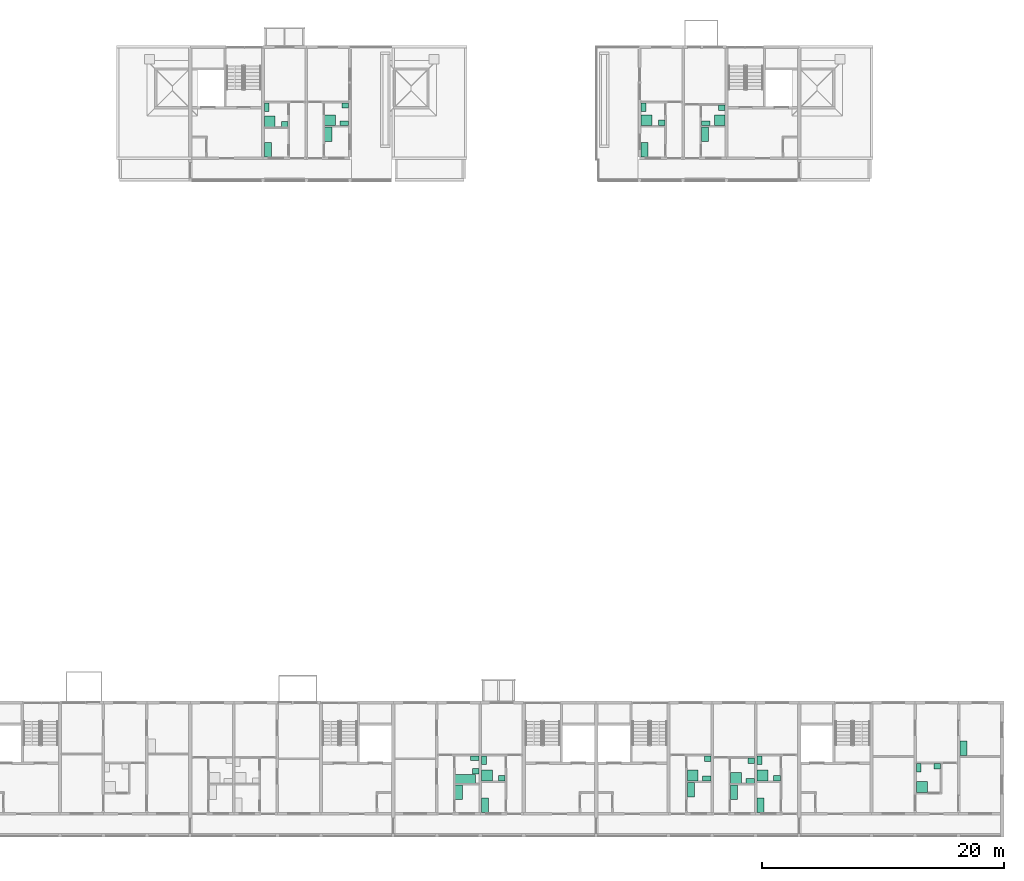
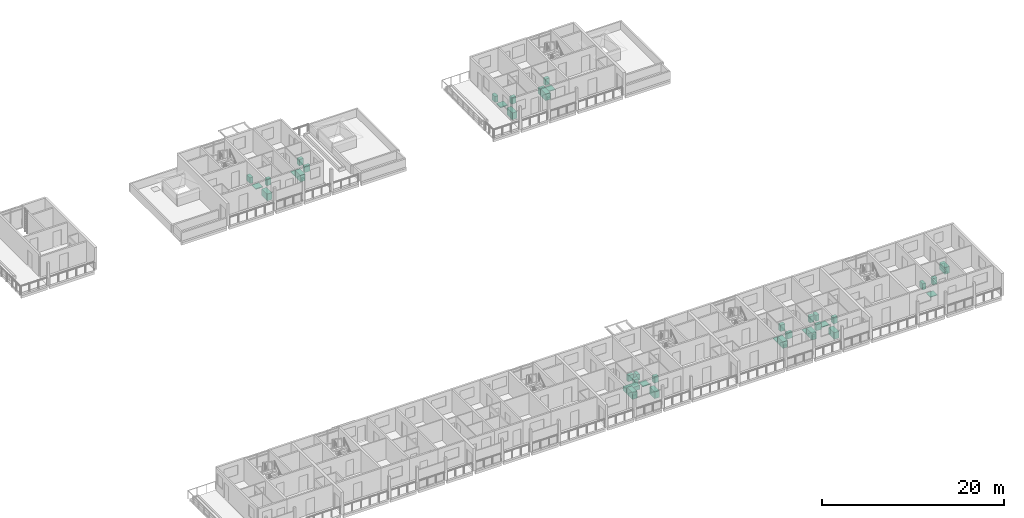
# One storey, part 78 of 78: 40 sanitary terminals.
"""IFC4 building model written with IfcOpenShell, lengths in metres."""

from ifc_helpers import new_model, si_unit, direction, frame, origin, origin_2d, place, context, subcontext, project, spatial, rectangle, extrude, element, save


model = new_model("IFC4")

# Units and contexts
model_context = context("Model", 3, precision=1e-05, world=origin(), true_north=direction((0.0, 1.0)))
body_context = subcontext(model_context, "Body", "Model", "MODEL_VIEW")
ifc_project = project(units=[si_unit("LENGTHUNIT", "METRE"), si_unit("AREAUNIT", "SQUARE_METRE"), si_unit("VOLUMEUNIT", "CUBIC_METRE"), si_unit("PLANEANGLEUNIT", "RADIAN"), si_unit("MASSUNIT", "GRAM", prefix="KILO")], contexts=[model_context])

# Site, building, storey
site_placement = place(None, origin())
site = spatial("IfcSite", under=ifc_project, at=site_placement, CompositionType="ELEMENT")
building_placement = place(site_placement, origin())
building = spatial("IfcBuilding", under=site, at=building_placement, Name="Ridgestep Commons", CompositionType="ELEMENT")
storey_placement = place(building_placement, frame((0.0, 0.0, 30.0)))
storey = spatial("IfcBuildingStorey", under=building, at=storey_placement, Name="L10", CompositionType="ELEMENT", Elevation=30.0)

# Sanitary terminals
sanitary_terminal_1_placement = place(storey_placement, frame((191.9599609375, 71.06005859375, 0.0), z_axis=(0.0, 0.0, 1.0), x_axis=(1.0, 0.0, 0.0)))
element("IfcSanitaryTerminal", 1, at=sanitary_terminal_1_placement, inside=storey, Name="Shower tray C3-10a", PredefinedType="SHOWER", context=body_context, shape_type="SweptSolid", body=[
    extrude(rectangle(XDim=0.89990234375, YDim=0.89990234375, at=origin_2d()), origin(), (0.0, 0.0, 1.0), 0.10009765625),
])
sanitary_terminal_2_placement = place(storey_placement, frame((193.14990234375, 70.81005859375, 0.0), z_axis=(0.0, 0.0, 1.0), x_axis=(1.0, 0.0, 0.0)))
element("IfcSanitaryTerminal", 2, at=sanitary_terminal_2_placement, inside=storey, Name="WC C3-10a", PredefinedType="TOILETPAN", context=body_context, shape_type="SweptSolid", body=[
    extrude(rectangle(XDim=0.699951171875, YDim=0.39990234375, at=origin_2d()), origin(), (0.0, 0.0, 1.0), 0.800048828125),
])
sanitary_terminal_3_placement = place(storey_placement, frame((193.22509765625, 72.27490234375, 0.0), z_axis=(0.0, 0.0, 1.0), x_axis=(1.0, 0.0, 0.0)))
element("IfcSanitaryTerminal", 3, at=sanitary_terminal_3_placement, inside=storey, Name="Basin C3-10a", PredefinedType="WASHHANDBASIN", context=body_context, shape_type="SweptSolid", body=[
    extrude(rectangle(XDim=0.550048828125, YDim=0.449951171875, at=origin_2d()), origin(), (0.0, 0.0, 1.0), 0.85009765625),
])
sanitary_terminal_4_placement = place(storey_placement, frame((191.81005859375, 69.89990234375, 0.0), z_axis=(0.0, 0.0, 1.0), x_axis=(1.0, 0.0, 0.0)))
element("IfcSanitaryTerminal", 4, at=sanitary_terminal_4_placement, inside=storey, Name="Kitchen sink C3-10a", PredefinedType="SINK", context=body_context, shape_type="SweptSolid", body=[
    extrude(rectangle(XDim=0.60009765625, YDim=1.199951171875, at=origin_2d()), origin(), (0.0, 0.0, 1.0), 0.89990234375),
])
sanitary_terminal_5_placement = place(storey_placement, frame((186.97509765625, 70.9599609375, 0.0), z_axis=(0.0, 0.0, 1.0), x_axis=(1.0, 0.0, 0.0)))
element("IfcSanitaryTerminal", 5, at=sanitary_terminal_5_placement, inside=storey, Name="Shower tray C3-10b", PredefinedType="SHOWER", context=body_context, shape_type="SweptSolid", body=[
    extrude(rectangle(XDim=0.89990234375, YDim=0.89990234375, at=origin_2d()), origin(), (0.0, 0.0, 1.0), 0.10009765625),
])
sanitary_terminal_6_placement = place(storey_placement, frame((186.72509765625, 72.14990234375, 0.0), z_axis=(0.0, 0.0, 1.0), x_axis=(1.0, 0.0, 0.0)))
element("IfcSanitaryTerminal", 6, at=sanitary_terminal_6_placement, inside=storey, Name="WC C3-10b", PredefinedType="TOILETPAN", context=body_context, shape_type="SweptSolid", body=[
    extrude(rectangle(XDim=0.39990234375, YDim=0.699951171875, at=origin_2d()), origin(), (0.0, 0.0, 1.0), 0.800048828125),
])
sanitary_terminal_7_placement = place(storey_placement, frame((188.215087890625, 70.735107421875, 0.0), z_axis=(0.0, 0.0, 1.0), x_axis=(1.0, 0.0, 0.0)))
element("IfcSanitaryTerminal", 7, at=sanitary_terminal_7_placement, inside=storey, Name="Basin C3-10b", PredefinedType="WASHHANDBASIN", context=body_context, shape_type="SweptSolid", body=[
    extrude(rectangle(XDim=0.550048828125, YDim=0.449951171875, at=origin_2d()), origin(), (0.0, 0.0, 1.0), 0.85009765625),
])
sanitary_terminal_8_placement = place(storey_placement, frame((186.824951171875, 68.60009765625, 0.0), z_axis=(0.0, 0.0, 1.0), x_axis=(1.0, 0.0, 0.0)))
element("IfcSanitaryTerminal", 8, at=sanitary_terminal_8_placement, inside=storey, Name="Kitchen sink C3-10b", PredefinedType="SINK", context=body_context, shape_type="SweptSolid", body=[
    extrude(rectangle(XDim=0.60009765625, YDim=1.199951171875, at=origin_2d()), origin(), (0.0, 0.0, 1.0), 0.89990234375),
])
sanitary_terminal_9_placement = place(storey_placement, frame((218.14990234375, 71.06005859375, 0.0), z_axis=(0.0, 0.0, 1.0), x_axis=(1.0, 0.0, 0.0)))
element("IfcSanitaryTerminal", 9, at=sanitary_terminal_9_placement, inside=storey, Name="Shower tray C5-10a", PredefinedType="SHOWER", context=body_context, shape_type="SweptSolid", body=[
    extrude(rectangle(XDim=0.89990234375, YDim=0.89990234375, at=origin_2d()), origin(), (0.0, 0.0, 1.0), 0.10009765625),
])
sanitary_terminal_10_placement = place(storey_placement, frame((217.89990234375, 72.14990234375, 0.0), z_axis=(0.0, 0.0, 1.0), x_axis=(1.0, 0.0, 0.0)))
element("IfcSanitaryTerminal", 10, at=sanitary_terminal_10_placement, inside=storey, Name="WC C5-10a", PredefinedType="TOILETPAN", context=body_context, shape_type="SweptSolid", body=[
    extrude(rectangle(XDim=0.39990234375, YDim=0.699951171875, at=origin_2d()), origin(), (0.0, 0.0, 1.0), 0.800048828125),
])
sanitary_terminal_11_placement = place(storey_placement, frame((219.4150390625, 70.8349609375, 0.0), z_axis=(0.0, 0.0, 1.0), x_axis=(1.0, 0.0, 0.0)))
element("IfcSanitaryTerminal", 11, at=sanitary_terminal_11_placement, inside=storey, Name="Basin C5-10a", PredefinedType="WASHHANDBASIN", context=body_context, shape_type="SweptSolid", body=[
    extrude(rectangle(XDim=0.550048828125, YDim=0.449951171875, at=origin_2d()), origin(), (0.0, 0.0, 1.0), 0.85009765625),
])
sanitary_terminal_12_placement = place(storey_placement, frame((218.0, 68.60009765625, 0.0), z_axis=(0.0, 0.0, 1.0), x_axis=(1.0, 0.0, 0.0)))
element("IfcSanitaryTerminal", 12, at=sanitary_terminal_12_placement, inside=storey, Name="Kitchen sink C5-10a", PredefinedType="SINK", context=body_context, shape_type="SweptSolid", body=[
    extrude(rectangle(XDim=0.60009765625, YDim=1.199951171875, at=origin_2d()), origin(), (0.0, 0.0, 1.0), 0.89990234375),
])
sanitary_terminal_13_placement = place(storey_placement, frame((224.22509765625, 71.06005859375, 0.0), z_axis=(0.0, 0.0, 1.0), x_axis=(1.0, 0.0, 0.0)))
element("IfcSanitaryTerminal", 13, at=sanitary_terminal_13_placement, inside=storey, Name="Shower tray C5-10b", PredefinedType="SHOWER", context=body_context, shape_type="SweptSolid", body=[
    extrude(rectangle(XDim=0.89990234375, YDim=0.89990234375, at=origin_2d()), origin(), (0.0, 0.0, 1.0), 0.10009765625),
])
sanitary_terminal_14_placement = place(storey_placement, frame((223.06005859375, 70.81005859375, 0.0), z_axis=(0.0, 0.0, 1.0), x_axis=(1.0, 0.0, 0.0)))
element("IfcSanitaryTerminal", 14, at=sanitary_terminal_14_placement, inside=storey, Name="WC C5-10b", PredefinedType="TOILETPAN", context=body_context, shape_type="SweptSolid", body=[
    extrude(rectangle(XDim=0.699951171875, YDim=0.39990234375, at=origin_2d()), origin(), (0.0, 0.0, 1.0), 0.800048828125),
])
sanitary_terminal_15_placement = place(storey_placement, frame((224.39990234375, 72.074951171875, 0.0), z_axis=(0.0, 0.0, 1.0), x_axis=(1.0, 0.0, 0.0)))
element("IfcSanitaryTerminal", 15, at=sanitary_terminal_15_placement, inside=storey, Name="Basin C5-10b", PredefinedType="WASHHANDBASIN", context=body_context, shape_type="SweptSolid", body=[
    extrude(rectangle(XDim=0.550048828125, YDim=0.449951171875, at=origin_2d()), origin(), (0.0, 0.0, 1.0), 0.85009765625),
])
sanitary_terminal_16_placement = place(storey_placement, frame((223.010009765625, 69.89990234375, 0.0), z_axis=(0.0, 0.0, 1.0), x_axis=(1.0, 0.0, 0.0)))
element("IfcSanitaryTerminal", 16, at=sanitary_terminal_16_placement, inside=storey, Name="Kitchen sink C5-10b", PredefinedType="SINK", context=body_context, shape_type="SweptSolid", body=[
    extrude(rectangle(XDim=0.60009765625, YDim=1.199951171875, at=origin_2d()), origin(), (0.0, 0.0, 1.0), 0.89990234375),
])
sanitary_terminal_17_placement = place(storey_placement, frame((203.159912109375, 16.534912109375, 0.0), z_axis=(0.0, 0.0, 1.0), x_axis=(1.0, 0.0, 0.0)))
element("IfcSanitaryTerminal", 17, at=sanitary_terminal_17_placement, inside=storey, Name="Bath D4-10a", PredefinedType="BATH", context=body_context, shape_type="SweptSolid", body=[
    extrude(rectangle(XDim=1.699951171875, YDim=0.75, at=origin_2d()), origin(), (0.0, 0.0, 1.0), 0.550048828125),
])
sanitary_terminal_18_placement = place(storey_placement, frame((203.949951171875, 18.25, 0.0), z_axis=(0.0, 0.0, 1.0), x_axis=(1.0, 0.0, 0.0)))
element("IfcSanitaryTerminal", 18, at=sanitary_terminal_18_placement, inside=storey, Name="WC D4-10a", PredefinedType="TOILETPAN", context=body_context, shape_type="SweptSolid", body=[
    extrude(rectangle(XDim=0.699951171875, YDim=0.39990234375, at=origin_2d()), origin(), (0.0, 0.0, 1.0), 0.800048828125),
])
sanitary_terminal_19_placement = place(storey_placement, frame((204.02490234375, 17.18505859375, 0.0), z_axis=(0.0, 0.0, 1.0), x_axis=(1.0, 0.0, 0.0)))
element("IfcSanitaryTerminal", 19, at=sanitary_terminal_19_placement, inside=storey, Name="Basin D4-10a", PredefinedType="WASHHANDBASIN", context=body_context, shape_type="SweptSolid", body=[
    extrude(rectangle(XDim=0.550048828125, YDim=0.449951171875, at=origin_2d()), origin(), (0.0, 0.0, 1.0), 0.85009765625),
])
sanitary_terminal_20_placement = place(storey_placement, frame((202.610107421875, 15.449951171875, 0.0), z_axis=(0.0, 0.0, 1.0), x_axis=(1.0, 0.0, 0.0)))
element("IfcSanitaryTerminal", 20, at=sanitary_terminal_20_placement, inside=storey, Name="Kitchen sink D4-10a", PredefinedType="SINK", context=body_context, shape_type="SweptSolid", body=[
    extrude(rectangle(XDim=0.60009765625, YDim=1.199951171875, at=origin_2d()), origin(), (0.0, 0.0, 1.0), 0.89990234375),
])
sanitary_terminal_21_placement = place(storey_placement, frame((204.949951171875, 16.81005859375, 0.0), z_axis=(0.0, 0.0, 1.0), x_axis=(1.0, 0.0, 0.0)))
element("IfcSanitaryTerminal", 21, at=sanitary_terminal_21_placement, inside=storey, Name="Shower tray D4-10b", PredefinedType="SHOWER", context=body_context, shape_type="SweptSolid", body=[
    extrude(rectangle(XDim=0.89990234375, YDim=0.89990234375, at=origin_2d()), origin(), (0.0, 0.0, 1.0), 0.10009765625),
])
sanitary_terminal_22_placement = place(storey_placement, frame((204.699951171875, 18.10009765625, 0.0), z_axis=(0.0, 0.0, 1.0), x_axis=(1.0, 0.0, 0.0)))
element("IfcSanitaryTerminal", 22, at=sanitary_terminal_22_placement, inside=storey, Name="WC D4-10b", PredefinedType="TOILETPAN", context=body_context, shape_type="SweptSolid", body=[
    extrude(rectangle(XDim=0.39990234375, YDim=0.699951171875, at=origin_2d()), origin(), (0.0, 0.0, 1.0), 0.800048828125),
])
sanitary_terminal_23_placement = place(storey_placement, frame((206.18994140625, 16.5849609375, 0.0), z_axis=(0.0, 0.0, 1.0), x_axis=(1.0, 0.0, 0.0)))
element("IfcSanitaryTerminal", 23, at=sanitary_terminal_23_placement, inside=storey, Name="Basin D4-10b", PredefinedType="WASHHANDBASIN", context=body_context, shape_type="SweptSolid", body=[
    extrude(rectangle(XDim=0.550048828125, YDim=0.449951171875, at=origin_2d()), origin(), (0.0, 0.0, 1.0), 0.85009765625),
])
sanitary_terminal_24_placement = place(storey_placement, frame((204.800048828125, 14.35009765625, 0.0), z_axis=(0.0, 0.0, 1.0), x_axis=(1.0, 0.0, 0.0)))
element("IfcSanitaryTerminal", 24, at=sanitary_terminal_24_placement, inside=storey, Name="Kitchen sink D4-10b", PredefinedType="SINK", context=body_context, shape_type="SweptSolid", body=[
    extrude(rectangle(XDim=0.60009765625, YDim=1.199951171875, at=origin_2d()), origin(), (0.0, 0.0, 1.0), 0.89990234375),
])
sanitary_terminal_25_placement = place(storey_placement, frame((227.75, 16.81005859375, 0.0), z_axis=(0.0, 0.0, 1.0), x_axis=(1.0, 0.0, 0.0)))
element("IfcSanitaryTerminal", 25, at=sanitary_terminal_25_placement, inside=storey, Name="Shower tray D5-10a", PredefinedType="SHOWER", context=body_context, shape_type="SweptSolid", body=[
    extrude(rectangle(XDim=0.89990234375, YDim=0.89990234375, at=origin_2d()), origin(), (0.0, 0.0, 1.0), 0.10009765625),
])
sanitary_terminal_26_placement = place(storey_placement, frame((227.5, 18.10009765625, 0.0), z_axis=(0.0, 0.0, 1.0), x_axis=(1.0, 0.0, 0.0)))
element("IfcSanitaryTerminal", 26, at=sanitary_terminal_26_placement, inside=storey, Name="WC D5-10a", PredefinedType="TOILETPAN", context=body_context, shape_type="SweptSolid", body=[
    extrude(rectangle(XDim=0.39990234375, YDim=0.699951171875, at=origin_2d()), origin(), (0.0, 0.0, 1.0), 0.800048828125),
])
sanitary_terminal_27_placement = place(storey_placement, frame((228.965087890625, 16.5849609375, 0.0), z_axis=(0.0, 0.0, 1.0), x_axis=(1.0, 0.0, 0.0)))
element("IfcSanitaryTerminal", 27, at=sanitary_terminal_27_placement, inside=storey, Name="Basin D5-10a", PredefinedType="WASHHANDBASIN", context=body_context, shape_type="SweptSolid", body=[
    extrude(rectangle(XDim=0.550048828125, YDim=0.449951171875, at=origin_2d()), origin(), (0.0, 0.0, 1.0), 0.85009765625),
])
sanitary_terminal_28_placement = place(storey_placement, frame((227.60009765625, 14.35009765625, 0.0), z_axis=(0.0, 0.0, 1.0), x_axis=(1.0, 0.0, 0.0)))
element("IfcSanitaryTerminal", 28, at=sanitary_terminal_28_placement, inside=storey, Name="Kitchen sink D5-10a", PredefinedType="SINK", context=body_context, shape_type="SweptSolid", body=[
    extrude(rectangle(XDim=0.60009765625, YDim=1.199951171875, at=origin_2d()), origin(), (0.0, 0.0, 1.0), 0.89990234375),
])
sanitary_terminal_29_placement = place(storey_placement, frame((225.56005859375, 16.610107421875, 0.0), z_axis=(0.0, 0.0, 1.0), x_axis=(1.0, 0.0, 0.0)))
element("IfcSanitaryTerminal", 29, at=sanitary_terminal_29_placement, inside=storey, Name="Shower tray D5-10b", PredefinedType="SHOWER", context=body_context, shape_type="SweptSolid", body=[
    extrude(rectangle(XDim=0.89990234375, YDim=0.89990234375, at=origin_2d()), origin(), (0.0, 0.0, 1.0), 0.10009765625),
])
sanitary_terminal_30_placement = place(storey_placement, frame((226.75, 16.360107421875, 0.0), z_axis=(0.0, 0.0, 1.0), x_axis=(1.0, 0.0, 0.0)))
element("IfcSanitaryTerminal", 30, at=sanitary_terminal_30_placement, inside=storey, Name="WC D5-10b", PredefinedType="TOILETPAN", context=body_context, shape_type="SweptSolid", body=[
    extrude(rectangle(XDim=0.699951171875, YDim=0.39990234375, at=origin_2d()), origin(), (0.0, 0.0, 1.0), 0.800048828125),
])
sanitary_terminal_31_placement = place(storey_placement, frame((226.824951171875, 18.02490234375, 0.0), z_axis=(0.0, 0.0, 1.0), x_axis=(1.0, 0.0, 0.0)))
element("IfcSanitaryTerminal", 31, at=sanitary_terminal_31_placement, inside=storey, Name="Basin D5-10b", PredefinedType="WASHHANDBASIN", context=body_context, shape_type="SweptSolid", body=[
    extrude(rectangle(XDim=0.550048828125, YDim=0.449951171875, at=origin_2d()), origin(), (0.0, 0.0, 1.0), 0.85009765625),
])
sanitary_terminal_32_placement = place(storey_placement, frame((225.409912109375, 15.449951171875, 0.0), z_axis=(0.0, 0.0, 1.0), x_axis=(1.0, 0.0, 0.0)))
element("IfcSanitaryTerminal", 32, at=sanitary_terminal_32_placement, inside=storey, Name="Kitchen sink D5-10b", PredefinedType="SINK", context=body_context, shape_type="SweptSolid", body=[
    extrude(rectangle(XDim=0.60009765625, YDim=1.199951171875, at=origin_2d()), origin(), (0.0, 0.0, 1.0), 0.89990234375),
])
sanitary_terminal_33_placement = place(storey_placement, frame((221.985107421875, 16.81005859375, 0.0), z_axis=(0.0, 0.0, 1.0), x_axis=(1.0, 0.0, 0.0)))
element("IfcSanitaryTerminal", 33, at=sanitary_terminal_33_placement, inside=storey, Name="Shower tray D5-10c", PredefinedType="SHOWER", context=body_context, shape_type="SweptSolid", body=[
    extrude(rectangle(XDim=0.89990234375, YDim=0.89990234375, at=origin_2d()), origin(), (0.0, 0.0, 1.0), 0.10009765625),
])
sanitary_terminal_34_placement = place(storey_placement, frame((223.14990234375, 16.56005859375, 0.0), z_axis=(0.0, 0.0, 1.0), x_axis=(1.0, 0.0, 0.0)))
element("IfcSanitaryTerminal", 34, at=sanitary_terminal_34_placement, inside=storey, Name="WC D5-10c", PredefinedType="TOILETPAN", context=body_context, shape_type="SweptSolid", body=[
    extrude(rectangle(XDim=0.699951171875, YDim=0.39990234375, at=origin_2d()), origin(), (0.0, 0.0, 1.0), 0.800048828125),
])
sanitary_terminal_35_placement = place(storey_placement, frame((223.22509765625, 18.22509765625, 0.0), z_axis=(0.0, 0.0, 1.0), x_axis=(1.0, 0.0, 0.0)))
element("IfcSanitaryTerminal", 35, at=sanitary_terminal_35_placement, inside=storey, Name="Basin D5-10c", PredefinedType="WASHHANDBASIN", context=body_context, shape_type="SweptSolid", body=[
    extrude(rectangle(XDim=0.550048828125, YDim=0.449951171875, at=origin_2d()), origin(), (0.0, 0.0, 1.0), 0.85009765625),
])
sanitary_terminal_36_placement = place(storey_placement, frame((221.8349609375, 15.64990234375, 0.0), z_axis=(0.0, 0.0, 1.0), x_axis=(1.0, 0.0, 0.0)))
element("IfcSanitaryTerminal", 36, at=sanitary_terminal_36_placement, inside=storey, Name="Kitchen sink D5-10c", PredefinedType="SINK", context=body_context, shape_type="SweptSolid", body=[
    extrude(rectangle(XDim=0.60009765625, YDim=1.199951171875, at=origin_2d()), origin(), (0.0, 0.0, 1.0), 0.89990234375),
])
sanitary_terminal_37_placement = place(storey_placement, frame((240.949951171875, 15.860107421875, 0.0), z_axis=(0.0, 0.0, 1.0), x_axis=(1.0, 0.0, 0.0)))
element("IfcSanitaryTerminal", 37, at=sanitary_terminal_37_placement, inside=storey, Name="Shower tray D6-10a", PredefinedType="SHOWER", context=body_context, shape_type="SweptSolid", body=[
    extrude(rectangle(XDim=0.89990234375, YDim=0.89990234375, at=origin_2d()), origin(), (0.0, 0.0, 1.0), 0.10009765625),
])
sanitary_terminal_38_placement = place(storey_placement, frame((240.699951171875, 17.4599609375, 0.0), z_axis=(0.0, 0.0, 1.0), x_axis=(1.0, 0.0, 0.0)))
element("IfcSanitaryTerminal", 38, at=sanitary_terminal_38_placement, inside=storey, Name="WC D6-10a", PredefinedType="TOILETPAN", context=body_context, shape_type="SweptSolid", body=[
    extrude(rectangle(XDim=0.39990234375, YDim=0.699951171875, at=origin_2d()), origin(), (0.0, 0.0, 1.0), 0.800048828125),
])
sanitary_terminal_39_placement = place(storey_placement, frame((242.215087890625, 17.5849609375, 0.0), z_axis=(0.0, 0.0, 1.0), x_axis=(1.0, 0.0, 0.0)))
element("IfcSanitaryTerminal", 39, at=sanitary_terminal_39_placement, inside=storey, Name="Basin D6-10a", PredefinedType="WASHHANDBASIN", context=body_context, shape_type="SweptSolid", body=[
    extrude(rectangle(XDim=0.550048828125, YDim=0.449951171875, at=origin_2d()), origin(), (0.0, 0.0, 1.0), 0.85009765625),
])
sanitary_terminal_40_placement = place(storey_placement, frame((244.39990234375, 19.06005859375, 0.0), z_axis=(0.0, 0.0, 1.0), x_axis=(1.0, 0.0, 0.0)))
element("IfcSanitaryTerminal", 40, at=sanitary_terminal_40_placement, inside=storey, Name="Kitchen sink D6-10a", PredefinedType="SINK", context=body_context, shape_type="SweptSolid", body=[
    extrude(rectangle(XDim=0.60009765625, YDim=1.199951171875, at=origin_2d()), origin(), (0.0, 0.0, 1.0), 0.89990234375),
])

save(model, "model.ifc")
